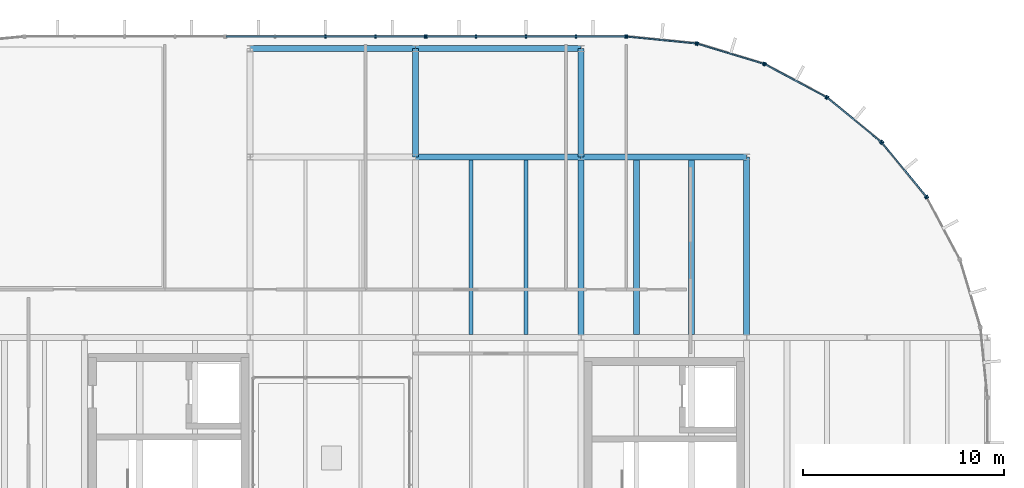
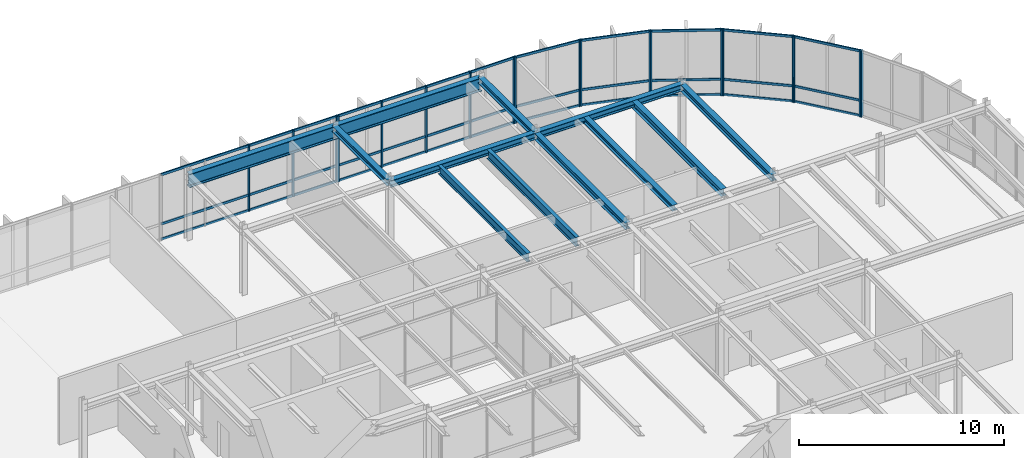
# One storey, part 14 of 21: 40 members, 12 beams, 8 elements without a shape of their own.
"""IFC4 building model written with IfcOpenShell, lengths in metres."""

from ifc_helpers import new_model, si_unit, direction, frame, origin, origin_2d, place, context, subcontext, project, spatial, rectangle, i_section, extrude, material, layer, layer_set, material_profile, profile_set, type_object, element, aggregate, save


model = new_model("IFC4")

# Units and contexts
model_context = context("Model", 3, precision=1e-05, world=origin(), true_north=direction((0.0, 1.0)))
body_context = subcontext(model_context, "Body", "Model", "MODEL_VIEW")
ifc_project = project(units=[si_unit("LENGTHUNIT", "METRE"), si_unit("AREAUNIT", "SQUARE_METRE"), si_unit("VOLUMEUNIT", "CUBIC_METRE"), si_unit("PLANEANGLEUNIT", "RADIAN"), si_unit("MASSUNIT", "GRAM", prefix="KILO")], contexts=[model_context])

# Site, building, storey
site_placement = place(None, origin())
site = spatial("IfcSite", under=ifc_project, at=site_placement, CompositionType="ELEMENT")
building_placement = place(site_placement, origin())
building = spatial("IfcBuilding", under=site, at=building_placement, Name="Montealbar Specialist Clinic", CompositionType="ELEMENT")
storey_placement = place(building_placement, frame((0.0, 0.0, 26.39990234375)))
storey = spatial("IfcBuildingStorey", under=building, at=storey_placement, Name="L06", CompositionType="ELEMENT", Elevation=26.39990234375)

# Beams
ifc_material_1 = material(Name="Steel S355", Category="steel")
ifc_material_profile_1 = material_profile(ifc_material_1, i_section(OverallWidth=0.300048828125, OverallDepth=0.360107421875, WebThickness=0.012451171875, FlangeThickness=0.0224609375, FilletRadius=0.027099609375, at=origin_2d()), Name="HEB 360", Category="steel")
ifc_profile_set_1 = profile_set([ifc_material_profile_1], Name="Steel S355")
beam_type_1 = type_object("IfcBeamType", Name="BM-GIRD-HEB360-EXT", PredefinedType="BEAM", material=ifc_profile_set_1)
for number, where, z_axis, x_axis, name in (
    (1, (82.5, 45.0, 3.75), (0.0, 1.0, 0.0), (-1.0, 0.0, 0.0), "Beam GY-L06-825-450-504"),
    (2, (90.75, 45.0, 3.75), (0.0, 1.0, 0.0), (-1.0, 0.0, 0.0), "Beam GY-L06-908-450-504"),
):
    element("IfcBeam", number, at=place(storey_placement, frame(where, z_axis=z_axis, x_axis=x_axis)), inside=storey, type_object=beam_type_1, Name=name, PredefinedType="BEAM", context=body_context, shape_type="SweptSolid", body=[
        extrude(i_section(OverallWidth=0.300048828125, OverallDepth=0.360107421875, WebThickness=0.012451171875, FlangeThickness=0.0224609375, FilletRadius=0.027099609375, at=origin_2d()), origin(), (0.0, 0.0, 1.0), 5.39990234375),
    ])
ifc_material_profile_2 = material_profile(ifc_material_1, i_section(OverallWidth=0.300048828125, OverallDepth=0.39990234375, WebThickness=0.013427734375, FlangeThickness=0.02392578125, FilletRadius=0.027099609375, at=origin_2d()), Name="HEB 400", Category="steel")
ifc_profile_set_2 = profile_set([ifc_material_profile_2], Name="Steel S355")
beam_type_2 = type_object("IfcBeamType", Name="BM-GIRD-HEB400-EXT", PredefinedType="BEAM", material=ifc_profile_set_2)
for number, where, z_axis, x_axis, name in (
    (3, (82.5, 45.0, 3.72998046875), (1.0, 0.0, 0.0), (0.0, 1.0, 0.0), "Beam GX-L06-825-908-450"),
    (4, (90.75, 45.0, 3.72998046875), (1.0, 0.0, 0.0), (0.0, 1.0, 0.0), "Beam GX-L06-908-990-450"),
):
    element("IfcBeam", number, at=place(storey_placement, frame(where, z_axis=z_axis, x_axis=x_axis)), inside=storey, type_object=beam_type_2, Name=name, PredefinedType="BEAM", context=body_context, shape_type="SweptSolid", body=[
        extrude(i_section(OverallWidth=0.300048828125, OverallDepth=0.39990234375, WebThickness=0.013427734375, FlangeThickness=0.02392578125, FilletRadius=0.027099609375, at=origin_2d()), origin(), (0.0, 0.0, 1.0), 8.25),
    ])
for number, where, z_axis, x_axis, name in (
    (5, (90.75, 36.0, 3.72998046875), (0.0, 1.0, 0.0), (-1.0, 0.0, 0.0), "Beam GY-L06-908-360-450"),
    (6, (99.0, 36.0, 3.72998046875), (0.0, 1.0, 0.0), (-1.0, 0.0, 0.0), "Beam GY-L06-990-360-450"),
):
    element("IfcBeam", number, at=place(storey_placement, frame(where, z_axis=z_axis, x_axis=x_axis)), inside=storey, type_object=beam_type_2, Name=name, PredefinedType="BEAM", context=body_context, shape_type="SweptSolid", body=[
        extrude(i_section(OverallWidth=0.300048828125, OverallDepth=0.39990234375, WebThickness=0.013427734375, FlangeThickness=0.02392578125, FilletRadius=0.027099609375, at=origin_2d()), origin(), (0.0, 0.0, 1.0), 9.0),
    ])
ifc_material_profile_3 = material_profile(ifc_material_1, i_section(OverallWidth=0.300048828125, OverallDepth=0.35009765625, WebThickness=0.010009765625, FlangeThickness=0.017578125, FilletRadius=0.027099609375, at=origin_2d()), Name="HEA 360", Category="steel")
ifc_profile_set_3 = profile_set([ifc_material_profile_3], Name="Steel S355")
beam_type_3 = type_object("IfcBeamType", Name="BM-JST-HEA360", PredefinedType="JOIST", material=ifc_profile_set_3)
beam_1_placement = place(storey_placement, frame((93.5, 36.14990234375, 3.755126953125), z_axis=(0.0, 1.0, 0.0), x_axis=(-1.0, 0.0, 0.0)))
element("IfcBeam", 7, at=beam_1_placement, inside=storey, type_object=beam_type_3, Name="Beam JST-L06-935-362-448", PredefinedType="JOIST", context=body_context, shape_type="SweptSolid", body=[
    extrude(i_section(OverallWidth=0.300048828125, OverallDepth=0.35009765625, WebThickness=0.010009765625, FlangeThickness=0.017578125, FilletRadius=0.027099609375, at=origin_2d()), origin(), (0.0, 0.0, 1.0), 8.7001953125),
])
ifc_material_profile_4 = material_profile(ifc_material_1, i_section(OverallWidth=0.300048828125, OverallDepth=0.43994140625, WebThickness=0.011474609375, FlangeThickness=0.02099609375, FilletRadius=0.027099609375, at=origin_2d()), Name="HEA 450", Category="steel")
ifc_profile_set_4 = profile_set([ifc_material_profile_4], Name="Steel S355")
beam_type_4 = type_object("IfcBeamType", Name="BM-JST-HEA450", PredefinedType="JOIST", material=ifc_profile_set_4)
beam_2_placement = place(storey_placement, frame((96.25, 36.14990234375, 3.710205078125), z_axis=(0.0, 1.0, 0.0), x_axis=(-1.0, 0.0, 0.0)))
element("IfcBeam", 8, at=beam_2_placement, inside=storey, type_object=beam_type_4, Name="Beam JST-L06-962-362-448", PredefinedType="JOIST", context=body_context, shape_type="SweptSolid", body=[
    extrude(i_section(OverallWidth=0.300048828125, OverallDepth=0.43994140625, WebThickness=0.011474609375, FlangeThickness=0.02099609375, FilletRadius=0.027099609375, at=origin_2d()), origin(), (0.0, 0.0, 1.0), 8.7001953125),
])
ifc_material_profile_5 = material_profile(ifc_material_1, i_section(OverallWidth=0.199951171875, OverallDepth=0.5, WebThickness=0.01025390625, FlangeThickness=0.01611328125, FilletRadius=0.02099609375, at=origin_2d()), Name="IPE 500", Category="steel")
ifc_profile_set_5 = profile_set([ifc_material_profile_5], Name="Steel S355")
beam_type_5 = type_object("IfcBeamType", Name="BM-JST-IPE500", PredefinedType="JOIST", material=ifc_profile_set_5)
beam_3_placement = place(storey_placement, frame((85.25, 36.14990234375, 3.68017578125), z_axis=(0.0, 1.0, 0.0), x_axis=(-1.0, 0.0, 0.0)))
element("IfcBeam", 9, at=beam_3_placement, inside=storey, type_object=beam_type_5, Name="Beam JST-L06-852-362-448", PredefinedType="JOIST", context=body_context, shape_type="SweptSolid", body=[
    extrude(i_section(OverallWidth=0.199951171875, OverallDepth=0.5, WebThickness=0.01025390625, FlangeThickness=0.01611328125, FilletRadius=0.02099609375, at=origin_2d()), origin(), (0.0, 0.0, 1.0), 8.7001953125),
])
ifc_material_profile_6 = material_profile(ifc_material_1, i_section(OverallWidth=0.2099609375, OverallDepth=0.550048828125, WebThickness=0.010986328125, FlangeThickness=0.01708984375, FilletRadius=0.02392578125, at=origin_2d()), Name="IPE 550", Category="steel")
ifc_profile_set_6 = profile_set([ifc_material_profile_6], Name="Steel S355")
beam_type_6 = type_object("IfcBeamType", Name="BM-JST-IPE550", PredefinedType="JOIST", material=ifc_profile_set_6)
beam_4_placement = place(storey_placement, frame((88.0, 36.14990234375, 3.655029296875), z_axis=(0.0, 1.0, 0.0), x_axis=(-1.0, 0.0, 0.0)))
element("IfcBeam", 10, at=beam_4_placement, inside=storey, type_object=beam_type_6, Name="Beam JST-L06-880-362-448", PredefinedType="JOIST", context=body_context, shape_type="SweptSolid", body=[
    extrude(i_section(OverallWidth=0.2099609375, OverallDepth=0.550048828125, WebThickness=0.010986328125, FlangeThickness=0.01708984375, FilletRadius=0.02392578125, at=origin_2d()), origin(), (0.0, 0.0, 1.0), 8.7001953125),
])
ifc_material_profile_7 = material_profile(ifc_material_1, i_section(OverallWidth=0.300048828125, OverallDepth=0.800048828125, WebThickness=0.017578125, FlangeThickness=0.032958984375, FilletRadius=0.030029296875, at=origin_2d()), Name="HEB 800", Category="steel")
ifc_profile_set_7 = profile_set([ifc_material_profile_7], Name="Steel S355")
beam_type_7 = type_object("IfcBeamType", Name="BM-XFER-HEB800-EXT", PredefinedType="BEAM", material=ifc_profile_set_7)
for number, where, z_axis, x_axis, name in (
    (11, (74.25, 50.39990234375, 3.530029296875), (1.0, 0.0, 0.0), (0.0, 1.0, 0.0), "North Hall Cantilever Tie Girder L06 Y=50.4"),
    (12, (82.5, 50.39990234375, 3.530029296875), (1.0, 0.0, 0.0), (0.0, 1.0, 0.0), "North Hall Cantilever Tie Girder L06 Y=50.4"),
):
    element("IfcBeam", number, at=place(storey_placement, frame(where, z_axis=z_axis, x_axis=x_axis)), inside=storey, type_object=beam_type_7, Name=name, PredefinedType="BEAM", context=body_context, shape_type="SweptSolid", body=[
        extrude(i_section(OverallWidth=0.300048828125, OverallDepth=0.800048828125, WebThickness=0.017578125, FlangeThickness=0.032958984375, FilletRadius=0.030029296875, at=origin_2d()), origin(), (0.0, 0.0, 1.0), 8.25),
    ])

# Curtain wall, members
ifc_material_2 = material(Name="Low-E double glazing", Category="glass")
ifc_layer_1 = layer(ifc_material_2, 0.199951171875, Name="Low-E double glazing", Category="glass")
ifc_layer_set_1 = layer_set([ifc_layer_1], Name="Low-E double glazing")
curtain_wall_type_1 = type_object("IfcCurtainWallType", Name="CW-TYPE-43", PredefinedType="NOTDEFINED", material=ifc_layer_set_1)
curtain_wall_1_placement = place(storey_placement, origin())
curtain_wall_1 = element("IfcCurtainWall", 13, at=curtain_wall_1_placement, inside=storey, type_object=curtain_wall_type_1, Name="Unitised Curtain Wall CW-L06-730-510-830-510-264", PredefinedType="NOTDEFINED")
ifc_material_3 = material(Name="Anodised aluminium EN AW-6063", Category="aluminium")
ifc_material_profile_8 = material_profile(ifc_material_3, rectangle(XDim=0.070068359375, YDim=0.179931640625, at=origin_2d()), Name="ALU 70x180", Category="aluminium")
ifc_profile_set_8 = profile_set([ifc_material_profile_8], Name="Anodised aluminium EN AW-6063")
member_type_1 = type_object("IfcMemberType", Name="CW-MUL-200", PredefinedType="MULLION", material=ifc_profile_set_8)
member_1_placement = place(storey_placement, frame((78.0, 51.0, 0.0), z_axis=(0.0, 0.0, 1.0), x_axis=(1.0, 0.0, 0.0)))
member_1 = element("IfcMember", 14, at=member_1_placement, type_object=member_type_1, Name="Curtain Wall Mullion CW-L06-730-510-830-510-264-02", PredefinedType="MULLION", context=body_context, shape_type="SweptSolid", body=[
    extrude(rectangle(XDim=0.070068359375, YDim=0.179931640625, at=origin_2d()), origin(), (0.0, 0.0, 1.0), 3.93017578125),
])
member_2_placement = place(storey_placement, frame((80.5, 51.0, 0.0), z_axis=(0.0, 0.0, 1.0), x_axis=(1.0, 0.0, 0.0)))
member_2 = element("IfcMember", 15, at=member_2_placement, type_object=member_type_1, Name="Curtain Wall Mullion CW-L06-730-510-830-510-264-03", PredefinedType="MULLION", context=body_context, shape_type="SweptSolid", body=[
    extrude(rectangle(XDim=0.070068359375, YDim=0.179931640625, at=origin_2d()), origin(), (0.0, 0.0, 1.0), 3.93017578125),
])
member_3_placement = place(storey_placement, frame((82.9599609375, 51.0, 0.0), z_axis=(0.0, 0.0, 1.0), x_axis=(1.0, 0.0, 0.0)))
member_3 = element("IfcMember", 16, at=member_3_placement, type_object=member_type_1, Name="Curtain Wall Mullion CW-L06-730-510-830-510-264-04", PredefinedType="MULLION", context=body_context, shape_type="SweptSolid", body=[
    extrude(rectangle(XDim=0.070068359375, YDim=0.179931640625, at=origin_2d()), origin(), (0.0, 0.0, 1.0), 3.93017578125),
])

curtain_wall_2_placement = place(storey_placement, origin())
curtain_wall_2 = element("IfcCurtainWall", 17, at=curtain_wall_2_placement, inside=storey, type_object=curtain_wall_type_1, Name="Unitised Curtain Wall CW-L06-830-510-930-510-264", PredefinedType="NOTDEFINED")
member_4_placement = place(storey_placement, frame((83.0400390625, 51.0, 0.0), z_axis=(0.0, 0.0, 1.0), x_axis=(1.0, 0.0, 0.0)))
member_4 = element("IfcMember", 18, at=member_4_placement, type_object=member_type_1, Name="Curtain Wall Mullion CW-L06-830-510-930-510-264-00", PredefinedType="MULLION", context=body_context, shape_type="SweptSolid", body=[
    extrude(rectangle(XDim=0.070068359375, YDim=0.179931640625, at=origin_2d()), origin(), (0.0, 0.0, 1.0), 3.93017578125),
])
member_5_placement = place(storey_placement, frame((85.5, 51.0, 0.0), z_axis=(0.0, 0.0, 1.0), x_axis=(1.0, 0.0, 0.0)))
member_5 = element("IfcMember", 19, at=member_5_placement, type_object=member_type_1, Name="Curtain Wall Mullion CW-L06-830-510-930-510-264-01", PredefinedType="MULLION", context=body_context, shape_type="SweptSolid", body=[
    extrude(rectangle(XDim=0.070068359375, YDim=0.179931640625, at=origin_2d()), origin(), (0.0, 0.0, 1.0), 3.93017578125),
])
member_6_placement = place(storey_placement, frame((88.0, 51.0, 0.0), z_axis=(0.0, 0.0, 1.0), x_axis=(1.0, 0.0, 0.0)))
member_6 = element("IfcMember", 20, at=member_6_placement, type_object=member_type_1, Name="Curtain Wall Mullion CW-L06-830-510-930-510-264-02", PredefinedType="MULLION", context=body_context, shape_type="SweptSolid", body=[
    extrude(rectangle(XDim=0.070068359375, YDim=0.179931640625, at=origin_2d()), origin(), (0.0, 0.0, 1.0), 3.93017578125),
])
member_7_placement = place(storey_placement, frame((90.5, 51.0, 0.0), z_axis=(0.0, 0.0, 1.0), x_axis=(1.0, 0.0, 0.0)))
member_7 = element("IfcMember", 21, at=member_7_placement, type_object=member_type_1, Name="Curtain Wall Mullion CW-L06-830-510-930-510-264-03", PredefinedType="MULLION", context=body_context, shape_type="SweptSolid", body=[
    extrude(rectangle(XDim=0.070068359375, YDim=0.179931640625, at=origin_2d()), origin(), (0.0, 0.0, 1.0), 3.93017578125),
])
member_8_placement = place(storey_placement, frame((92.9599609375, 51.0, 0.0), z_axis=(0.0, 0.0, 1.0), x_axis=(1.0, 0.0, 0.0)))
member_8 = element("IfcMember", 22, at=member_8_placement, type_object=member_type_1, Name="Curtain Wall Mullion CW-L06-830-510-930-510-264-04", PredefinedType="MULLION", context=body_context, shape_type="SweptSolid", body=[
    extrude(rectangle(XDim=0.070068359375, YDim=0.179931640625, at=origin_2d()), origin(), (0.0, 0.0, 1.0), 3.93017578125),
])

ifc_layer_2 = layer(ifc_material_2, 0.199951171875, Name="Low-E double glazing", Category="glass")
ifc_layer_set_2 = layer_set([ifc_layer_2], Name="Low-E double glazing")
curtain_wall_type_2 = type_object("IfcCurtainWallType", Name="CW-TYPE-12", PredefinedType="NOTDEFINED", material=ifc_layer_set_2)
curtain_wall_3_placement = place(storey_placement, origin())
curtain_wall_3 = element("IfcCurtainWall", 23, at=curtain_wall_3_placement, inside=storey, type_object=curtain_wall_type_2, Name="Unitised Curtain Wall CW-L06-930-510-965-507-264", PredefinedType="NOTDEFINED")
member_9_placement = place(storey_placement, frame((93.0400390625, 50.99609375, 0.0), z_axis=(0.0, 0.0, 1.0), x_axis=(0.995182012183, -0.098044697094, 0.0)))
member_9 = element("IfcMember", 24, at=member_9_placement, type_object=member_type_1, Name="Curtain Wall Mullion CW-L06-930-510-965-507-264-00", PredefinedType="MULLION", context=body_context, shape_type="SweptSolid", body=[
    extrude(rectangle(XDim=0.070068359375, YDim=0.179931640625, at=origin_2d()), origin(), (0.0, 0.0, 1.0), 3.93017578125),
])
member_10_placement = place(storey_placement, frame((96.471923828125, 50.657958984375, 0.0), z_axis=(0.0, 0.0, 1.0), x_axis=(0.995182012183, -0.098044697094, 0.0)))
member_10 = element("IfcMember", 25, at=member_10_placement, type_object=member_type_1, Name="Curtain Wall Mullion CW-L06-930-510-965-507-264-01", PredefinedType="MULLION", context=body_context, shape_type="SweptSolid", body=[
    extrude(rectangle(XDim=0.070068359375, YDim=0.179931640625, at=origin_2d()), origin(), (0.0, 0.0, 1.0), 3.93017578125),
])

curtain_wall_4_placement = place(storey_placement, origin())
curtain_wall_4 = element("IfcCurtainWall", 26, at=curtain_wall_4_placement, inside=storey, type_object=curtain_wall_type_2, Name="Unitised Curtain Wall CW-L06-965-507-999-496-264", PredefinedType="NOTDEFINED")
member_11_placement = place(storey_placement, frame((96.550048828125, 50.64208984375, 0.0), z_axis=(0.0, 0.0, 1.0), x_axis=(0.956948083701, -0.290259134399, 0.0)))
member_11 = element("IfcMember", 27, at=member_11_placement, type_object=member_type_1, Name="Curtain Wall Mullion CW-L06-965-507-999-496-264-00", PredefinedType="MULLION", context=body_context, shape_type="SweptSolid", body=[
    extrude(rectangle(XDim=0.070068359375, YDim=0.179931640625, at=origin_2d()), origin(), (0.0, 0.0, 1.0), 3.93017578125),
])
member_12_placement = place(storey_placement, frame((99.85009765625, 49.64208984375, 0.0), z_axis=(0.0, 0.0, 1.0), x_axis=(0.956948083701, -0.290259134399, 0.0)))
member_12 = element("IfcMember", 28, at=member_12_placement, type_object=member_type_1, Name="Curtain Wall Mullion CW-L06-965-507-999-496-264-01", PredefinedType="MULLION", context=body_context, shape_type="SweptSolid", body=[
    extrude(rectangle(XDim=0.070068359375, YDim=0.179931640625, at=origin_2d()), origin(), (0.0, 0.0, 1.0), 3.93017578125),
])

curtain_wall_5_placement = place(storey_placement, origin())
curtain_wall_5 = element("IfcCurtainWall", 29, at=curtain_wall_5_placement, inside=storey, type_object=curtain_wall_type_2, Name="Unitised Curtain Wall CW-L06-999-496-1030-480-264", PredefinedType="NOTDEFINED")
member_13_placement = place(storey_placement, frame((99.923095703125, 49.611083984375, 0.0), z_axis=(0.0, 0.0, 1.0), x_axis=(0.881850411644, -0.471529268958, 0.0)))
member_13 = element("IfcMember", 30, at=member_13_placement, type_object=member_type_1, Name="Curtain Wall Mullion CW-L06-999-496-1030-480-264-00", PredefinedType="MULLION", context=body_context, shape_type="SweptSolid", body=[
    extrude(rectangle(XDim=0.070068359375, YDim=0.179931640625, at=origin_2d()), origin(), (0.0, 0.0, 1.0), 3.93017578125),
])
member_14_placement = place(storey_placement, frame((102.965087890625, 47.985107421875, 0.0), z_axis=(0.0, 0.0, 1.0), x_axis=(0.881850411644, -0.471529268958, 0.0)))
member_14 = element("IfcMember", 31, at=member_14_placement, type_object=member_type_1, Name="Curtain Wall Mullion CW-L06-999-496-1030-480-264-01", PredefinedType="MULLION", context=body_context, shape_type="SweptSolid", body=[
    extrude(rectangle(XDim=0.070068359375, YDim=0.179931640625, at=origin_2d()), origin(), (0.0, 0.0, 1.0), 3.93017578125),
])

curtain_wall_6_placement = place(storey_placement, origin())
curtain_wall_6 = element("IfcCurtainWall", 32, at=curtain_wall_6_placement, inside=storey, type_object=curtain_wall_type_2, Name="Unitised Curtain Wall CW-L06-1030-480-1057-457-264", PredefinedType="NOTDEFINED")
member_15_placement = place(storey_placement, frame((103.031005859375, 47.94091796875, 0.0), z_axis=(0.0, 0.0, 1.0), x_axis=(0.773123255923, -0.634255808922, 0.0)))
member_15 = element("IfcMember", 33, at=member_15_placement, type_object=member_type_1, Name="Curtain Wall Mullion CW-L06-1030-480-1057-457-264-00", PredefinedType="MULLION", context=body_context, shape_type="SweptSolid", body=[
    extrude(rectangle(XDim=0.070068359375, YDim=0.179931640625, at=origin_2d()), origin(), (0.0, 0.0, 1.0), 3.93017578125),
])
member_16_placement = place(storey_placement, frame((105.697021484375, 45.7529296875, 0.0), z_axis=(0.0, 0.0, 1.0), x_axis=(0.773123255923, -0.634255808922, 0.0)))
member_16 = element("IfcMember", 34, at=member_16_placement, type_object=member_type_1, Name="Curtain Wall Mullion CW-L06-1030-480-1057-457-264-01", PredefinedType="MULLION", context=body_context, shape_type="SweptSolid", body=[
    extrude(rectangle(XDim=0.070068359375, YDim=0.179931640625, at=origin_2d()), origin(), (0.0, 0.0, 1.0), 3.93017578125),
])

curtain_wall_7_placement = place(storey_placement, origin())
curtain_wall_7 = element("IfcCurtainWall", 35, at=curtain_wall_7_placement, inside=storey, type_object=curtain_wall_type_2, Name="Unitised Curtain Wall CW-L06-1057-457-1080-430-264", PredefinedType="NOTDEFINED")
member_17_placement = place(storey_placement, frame((105.7529296875, 45.697021484375, 0.0), z_axis=(0.0, 0.0, 1.0), x_axis=(0.634255808922, -0.773123255923, 0.0)))
member_17 = element("IfcMember", 36, at=member_17_placement, type_object=member_type_1, Name="Curtain Wall Mullion CW-L06-1057-457-1080-430-264-00", PredefinedType="MULLION", context=body_context, shape_type="SweptSolid", body=[
    extrude(rectangle(XDim=0.070068359375, YDim=0.179931640625, at=origin_2d()), origin(), (0.0, 0.0, 1.0), 3.93017578125),
])
member_18_placement = place(storey_placement, frame((107.94091796875, 43.031005859375, 0.0), z_axis=(0.0, 0.0, 1.0), x_axis=(0.634255808922, -0.773123255923, 0.0)))
member_18 = element("IfcMember", 37, at=member_18_placement, type_object=member_type_1, Name="Curtain Wall Mullion CW-L06-1057-457-1080-430-264-01", PredefinedType="MULLION", context=body_context, shape_type="SweptSolid", body=[
    extrude(rectangle(XDim=0.070068359375, YDim=0.179931640625, at=origin_2d()), origin(), (0.0, 0.0, 1.0), 3.93017578125),
])

# Curtain wall, member
curtain_wall_8_placement = place(storey_placement, origin())
curtain_wall_8 = element("IfcCurtainWall", 38, at=curtain_wall_8_placement, inside=storey, type_object=curtain_wall_type_2, Name="Unitised Curtain Wall CW-L06-1080-430-1096-399-264", PredefinedType="NOTDEFINED")
member_19_placement = place(storey_placement, frame((107.985107421875, 42.965087890625, 0.0), z_axis=(0.0, 0.0, 1.0), x_axis=(0.471529268958, -0.881850411644, 0.0)))
member_19 = element("IfcMember", 39, at=member_19_placement, type_object=member_type_1, Name="Curtain Wall Mullion CW-L06-1080-430-1096-399-264-00", PredefinedType="MULLION", context=body_context, shape_type="SweptSolid", body=[
    extrude(rectangle(XDim=0.070068359375, YDim=0.179931640625, at=origin_2d()), origin(), (0.0, 0.0, 1.0), 3.93017578125),
])
aggregate(curtain_wall_8, [member_19])

# Member
ifc_material_4 = material(Name="Powder-coated aluminium", Category="aluminium")
ifc_material_profile_9 = material_profile(ifc_material_4, rectangle(XDim=0.070068359375, YDim=0.139892578125, at=origin_2d()), Name="ALU 70x140", Category="aluminium")
ifc_profile_set_9 = profile_set([ifc_material_profile_9], Name="Powder-coated aluminium")
member_type_2 = type_object("IfcMemberType", Name="CW-TRN-140", PredefinedType="USERDEFINED", material=ifc_profile_set_9)
member_20_placement = place(storey_placement, frame((73.050048828125, 51.0, 0.0400390625), z_axis=(1.0, 0.0, 0.0), x_axis=(0.0, 1.0, 0.0)))
member_20 = element("IfcMember", 40, at=member_20_placement, type_object=member_type_2, Name="Curtain Wall Transom CW-L06-730-510-830-510-264-00", ObjectType="TRANSOM", PredefinedType="USERDEFINED", context=body_context, shape_type="SweptSolid", body=[
    extrude(rectangle(XDim=0.070068359375, YDim=0.139892578125, at=origin_2d()), origin(), (0.0, 0.0, 1.0), 9.89990234375),
])

member_21_placement = place(storey_placement, frame((73.050048828125, 51.0, 0.9501953125), z_axis=(1.0, 0.0, 0.0), x_axis=(0.0, 1.0, 0.0)))
member_21 = element("IfcMember", 41, at=member_21_placement, type_object=member_type_2, Name="Curtain Wall Transom CW-L06-730-510-830-510-264-01", ObjectType="TRANSOM", PredefinedType="USERDEFINED", context=body_context, shape_type="SweptSolid", body=[
    extrude(rectangle(XDim=0.070068359375, YDim=0.139892578125, at=origin_2d()), origin(), (0.0, 0.0, 1.0), 9.89990234375),
])

member_22_placement = place(storey_placement, frame((73.050048828125, 51.0, 3.89013671875), z_axis=(1.0, 0.0, 0.0), x_axis=(0.0, 1.0, 0.0)))
member_22 = element("IfcMember", 42, at=member_22_placement, type_object=member_type_2, Name="Curtain Wall Transom CW-L06-730-510-830-510-264-02", ObjectType="TRANSOM", PredefinedType="USERDEFINED", context=body_context, shape_type="SweptSolid", body=[
    extrude(rectangle(XDim=0.070068359375, YDim=0.139892578125, at=origin_2d()), origin(), (0.0, 0.0, 1.0), 9.89990234375),
])

aggregate(curtain_wall_1, [member_1, member_2, member_3, member_20, member_21, member_22])

member_23_placement = place(storey_placement, frame((83.050048828125, 51.0, 0.0400390625), z_axis=(1.0, 0.0, 0.0), x_axis=(0.0, 1.0, 0.0)))
member_23 = element("IfcMember", 43, at=member_23_placement, type_object=member_type_2, Name="Curtain Wall Transom CW-L06-830-510-930-510-264-00", ObjectType="TRANSOM", PredefinedType="USERDEFINED", context=body_context, shape_type="SweptSolid", body=[
    extrude(rectangle(XDim=0.070068359375, YDim=0.139892578125, at=origin_2d()), origin(), (0.0, 0.0, 1.0), 9.89990234375),
])

member_24_placement = place(storey_placement, frame((83.050048828125, 51.0, 0.9501953125), z_axis=(1.0, 0.0, 0.0), x_axis=(0.0, 1.0, 0.0)))
member_24 = element("IfcMember", 44, at=member_24_placement, type_object=member_type_2, Name="Curtain Wall Transom CW-L06-830-510-930-510-264-01", ObjectType="TRANSOM", PredefinedType="USERDEFINED", context=body_context, shape_type="SweptSolid", body=[
    extrude(rectangle(XDim=0.070068359375, YDim=0.139892578125, at=origin_2d()), origin(), (0.0, 0.0, 1.0), 9.89990234375),
])

member_25_placement = place(storey_placement, frame((83.050048828125, 51.0, 3.89013671875), z_axis=(1.0, 0.0, 0.0), x_axis=(0.0, 1.0, 0.0)))
member_25 = element("IfcMember", 45, at=member_25_placement, type_object=member_type_2, Name="Curtain Wall Transom CW-L06-830-510-930-510-264-02", ObjectType="TRANSOM", PredefinedType="USERDEFINED", context=body_context, shape_type="SweptSolid", body=[
    extrude(rectangle(XDim=0.070068359375, YDim=0.139892578125, at=origin_2d()), origin(), (0.0, 0.0, 1.0), 9.89990234375),
])

aggregate(curtain_wall_2, [member_4, member_5, member_6, member_7, member_8, member_23, member_24, member_25])

member_26_placement = place(storey_placement, frame((93.050048828125, 50.9951171875, 0.0400390625), z_axis=(0.995180678623, -0.098058232162, 0.0), x_axis=(0.098058232162, 0.995180678623, 0.0)))
member_26 = element("IfcMember", 46, at=member_26_placement, type_object=member_type_2, Name="Curtain Wall Transom CW-L06-930-510-965-507-264-00", ObjectType="TRANSOM", PredefinedType="USERDEFINED", context=body_context, shape_type="SweptSolid", body=[
    extrude(rectangle(XDim=0.070068359375, YDim=0.139892578125, at=origin_2d()), origin(), (0.0, 0.0, 1.0), 3.428466796875),
])

member_27_placement = place(storey_placement, frame((93.050048828125, 50.9951171875, 0.9501953125), z_axis=(0.995180678623, -0.098058232162, 0.0), x_axis=(0.098058232162, 0.995180678623, 0.0)))
member_27 = element("IfcMember", 47, at=member_27_placement, type_object=member_type_2, Name="Curtain Wall Transom CW-L06-930-510-965-507-264-01", ObjectType="TRANSOM", PredefinedType="USERDEFINED", context=body_context, shape_type="SweptSolid", body=[
    extrude(rectangle(XDim=0.070068359375, YDim=0.139892578125, at=origin_2d()), origin(), (0.0, 0.0, 1.0), 3.428466796875),
])

member_28_placement = place(storey_placement, frame((93.050048828125, 50.9951171875, 3.89013671875), z_axis=(0.995180678623, -0.098058232162, 0.0), x_axis=(0.098058232162, 0.995180678623, 0.0)))
member_28 = element("IfcMember", 48, at=member_28_placement, type_object=member_type_2, Name="Curtain Wall Transom CW-L06-930-510-965-507-264-02", ObjectType="TRANSOM", PredefinedType="USERDEFINED", context=body_context, shape_type="SweptSolid", body=[
    extrude(rectangle(XDim=0.070068359375, YDim=0.139892578125, at=origin_2d()), origin(), (0.0, 0.0, 1.0), 3.428466796875),
])

aggregate(curtain_wall_3, [member_9, member_10, member_26, member_27, member_28])

member_29_placement = place(storey_placement, frame((96.56005859375, 50.638916015625, 0.0400390625), z_axis=(0.957028598092, -0.289993555849, 0.0), x_axis=(0.289993555849, 0.957028598092, 0.0)))
member_29 = element("IfcMember", 49, at=member_29_placement, type_object=member_type_2, Name="Curtain Wall Transom CW-L06-965-507-999-496-264-00", ObjectType="TRANSOM", PredefinedType="USERDEFINED", context=body_context, shape_type="SweptSolid", body=[
    extrude(rectangle(XDim=0.070068359375, YDim=0.139892578125, at=origin_2d()), origin(), (0.0, 0.0, 1.0), 3.42724609375),
])

member_30_placement = place(storey_placement, frame((96.56005859375, 50.638916015625, 0.9501953125), z_axis=(0.957028598092, -0.289993555849, 0.0), x_axis=(0.289993555849, 0.957028598092, 0.0)))
member_30 = element("IfcMember", 50, at=member_30_placement, type_object=member_type_2, Name="Curtain Wall Transom CW-L06-965-507-999-496-264-01", ObjectType="TRANSOM", PredefinedType="USERDEFINED", context=body_context, shape_type="SweptSolid", body=[
    extrude(rectangle(XDim=0.070068359375, YDim=0.139892578125, at=origin_2d()), origin(), (0.0, 0.0, 1.0), 3.42724609375),
])

member_31_placement = place(storey_placement, frame((96.56005859375, 50.638916015625, 3.89013671875), z_axis=(0.957028598092, -0.289993555849, 0.0), x_axis=(0.289993555849, 0.957028598092, 0.0)))
member_31 = element("IfcMember", 51, at=member_31_placement, type_object=member_type_2, Name="Curtain Wall Transom CW-L06-965-507-999-496-264-02", ObjectType="TRANSOM", PredefinedType="USERDEFINED", context=body_context, shape_type="SweptSolid", body=[
    extrude(rectangle(XDim=0.070068359375, YDim=0.139892578125, at=origin_2d()), origin(), (0.0, 0.0, 1.0), 3.42724609375),
])

aggregate(curtain_wall_4, [member_11, member_12, member_29, member_30, member_31])

member_32_placement = place(storey_placement, frame((99.931884765625, 49.60595703125, 0.0400390625), z_axis=(0.881980147273, -0.471286558069, 0.0), x_axis=(0.471286558069, 0.881980147273, 0.0)))
member_32 = element("IfcMember", 52, at=member_32_placement, type_object=member_type_2, Name="Curtain Wall Transom CW-L06-999-496-1030-480-264-00", ObjectType="TRANSOM", PredefinedType="USERDEFINED", context=body_context, shape_type="SweptSolid", body=[
    extrude(rectangle(XDim=0.070068359375, YDim=0.139892578125, at=origin_2d()), origin(), (0.0, 0.0, 1.0), 3.428955078125),
])

member_33_placement = place(storey_placement, frame((99.931884765625, 49.60595703125, 0.9501953125), z_axis=(0.881980147273, -0.471286558069, 0.0), x_axis=(0.471286558069, 0.881980147273, 0.0)))
member_33 = element("IfcMember", 53, at=member_33_placement, type_object=member_type_2, Name="Curtain Wall Transom CW-L06-999-496-1030-480-264-01", ObjectType="TRANSOM", PredefinedType="USERDEFINED", context=body_context, shape_type="SweptSolid", body=[
    extrude(rectangle(XDim=0.070068359375, YDim=0.139892578125, at=origin_2d()), origin(), (0.0, 0.0, 1.0), 3.428955078125),
])

member_34_placement = place(storey_placement, frame((99.931884765625, 49.60595703125, 3.89013671875), z_axis=(0.881980147273, -0.471286558069, 0.0), x_axis=(0.471286558069, 0.881980147273, 0.0)))
member_34 = element("IfcMember", 54, at=member_34_placement, type_object=member_type_2, Name="Curtain Wall Transom CW-L06-999-496-1030-480-264-02", ObjectType="TRANSOM", PredefinedType="USERDEFINED", context=body_context, shape_type="SweptSolid", body=[
    extrude(rectangle(XDim=0.070068359375, YDim=0.139892578125, at=origin_2d()), origin(), (0.0, 0.0, 1.0), 3.428955078125),
])

aggregate(curtain_wall_5, [member_13, member_14, member_32, member_33, member_34])

member_35_placement = place(storey_placement, frame((103.0390625, 47.93408203125, 0.0400390625), z_axis=(0.773102924144, -0.634280591441, 0.0), x_axis=(0.634280591441, 0.773102924144, 0.0)))
member_35 = element("IfcMember", 55, at=member_35_placement, type_object=member_type_2, Name="Curtain Wall Transom CW-L06-1030-480-1057-457-264-00", ObjectType="TRANSOM", PredefinedType="USERDEFINED", context=body_context, shape_type="SweptSolid", body=[
    extrude(rectangle(XDim=0.070068359375, YDim=0.139892578125, at=origin_2d()), origin(), (0.0, 0.0, 1.0), 3.427734375),
])

member_36_placement = place(storey_placement, frame((103.0390625, 47.93408203125, 0.9501953125), z_axis=(0.773102924144, -0.634280591441, 0.0), x_axis=(0.634280591441, 0.773102924144, 0.0)))
member_36 = element("IfcMember", 56, at=member_36_placement, type_object=member_type_2, Name="Curtain Wall Transom CW-L06-1030-480-1057-457-264-01", ObjectType="TRANSOM", PredefinedType="USERDEFINED", context=body_context, shape_type="SweptSolid", body=[
    extrude(rectangle(XDim=0.070068359375, YDim=0.139892578125, at=origin_2d()), origin(), (0.0, 0.0, 1.0), 3.427734375),
])

member_37_placement = place(storey_placement, frame((103.0390625, 47.93408203125, 3.89013671875), z_axis=(0.773102924144, -0.634280591441, 0.0), x_axis=(0.634280591441, 0.773102924144, 0.0)))
member_37 = element("IfcMember", 57, at=member_37_placement, type_object=member_type_2, Name="Curtain Wall Transom CW-L06-1030-480-1057-457-264-02", ObjectType="TRANSOM", PredefinedType="USERDEFINED", context=body_context, shape_type="SweptSolid", body=[
    extrude(rectangle(XDim=0.070068359375, YDim=0.139892578125, at=origin_2d()), origin(), (0.0, 0.0, 1.0), 3.427734375),
])

aggregate(curtain_wall_6, [member_15, member_16, member_35, member_36, member_37])

member_38_placement = place(storey_placement, frame((105.760009765625, 45.68896484375, 0.0400390625), z_axis=(0.634280591441, -0.773102924144, 0.0), x_axis=(0.773102924144, 0.634280591441, 0.0)))
member_38 = element("IfcMember", 58, at=member_38_placement, type_object=member_type_2, Name="Curtain Wall Transom CW-L06-1057-457-1080-430-264-00", ObjectType="TRANSOM", PredefinedType="USERDEFINED", context=body_context, shape_type="SweptSolid", body=[
    extrude(rectangle(XDim=0.070068359375, YDim=0.139892578125, at=origin_2d()), origin(), (0.0, 0.0, 1.0), 3.427734375),
])

member_39_placement = place(storey_placement, frame((105.760009765625, 45.68896484375, 0.9501953125), z_axis=(0.634280591441, -0.773102924144, 0.0), x_axis=(0.773102924144, 0.634280591441, 0.0)))
member_39 = element("IfcMember", 59, at=member_39_placement, type_object=member_type_2, Name="Curtain Wall Transom CW-L06-1057-457-1080-430-264-01", ObjectType="TRANSOM", PredefinedType="USERDEFINED", context=body_context, shape_type="SweptSolid", body=[
    extrude(rectangle(XDim=0.070068359375, YDim=0.139892578125, at=origin_2d()), origin(), (0.0, 0.0, 1.0), 3.427734375),
])

member_40_placement = place(storey_placement, frame((105.760009765625, 45.68896484375, 3.89013671875), z_axis=(0.634280591441, -0.773102924144, 0.0), x_axis=(0.773102924144, 0.634280591441, 0.0)))
member_40 = element("IfcMember", 60, at=member_40_placement, type_object=member_type_2, Name="Curtain Wall Transom CW-L06-1057-457-1080-430-264-02", ObjectType="TRANSOM", PredefinedType="USERDEFINED", context=body_context, shape_type="SweptSolid", body=[
    extrude(rectangle(XDim=0.070068359375, YDim=0.139892578125, at=origin_2d()), origin(), (0.0, 0.0, 1.0), 3.427734375),
])

aggregate(curtain_wall_7, [member_17, member_18, member_38, member_39, member_40])

save(model, "model.ifc")
